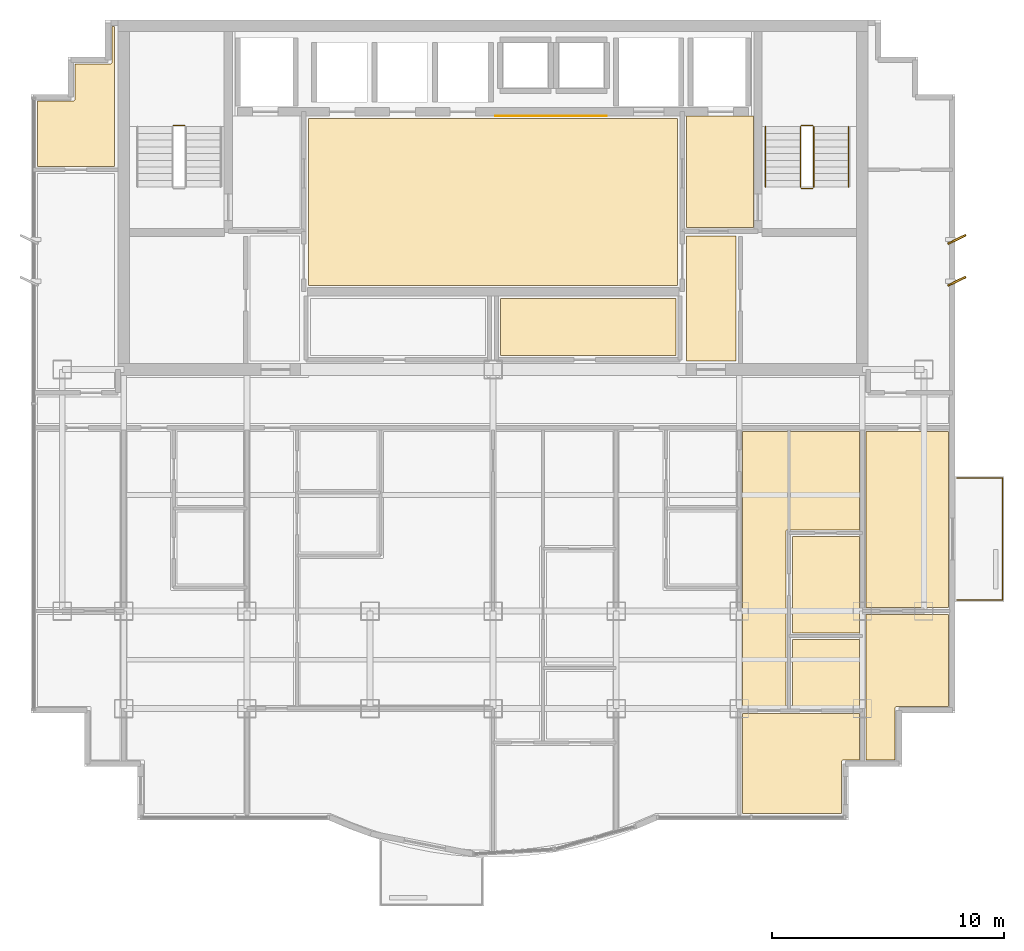
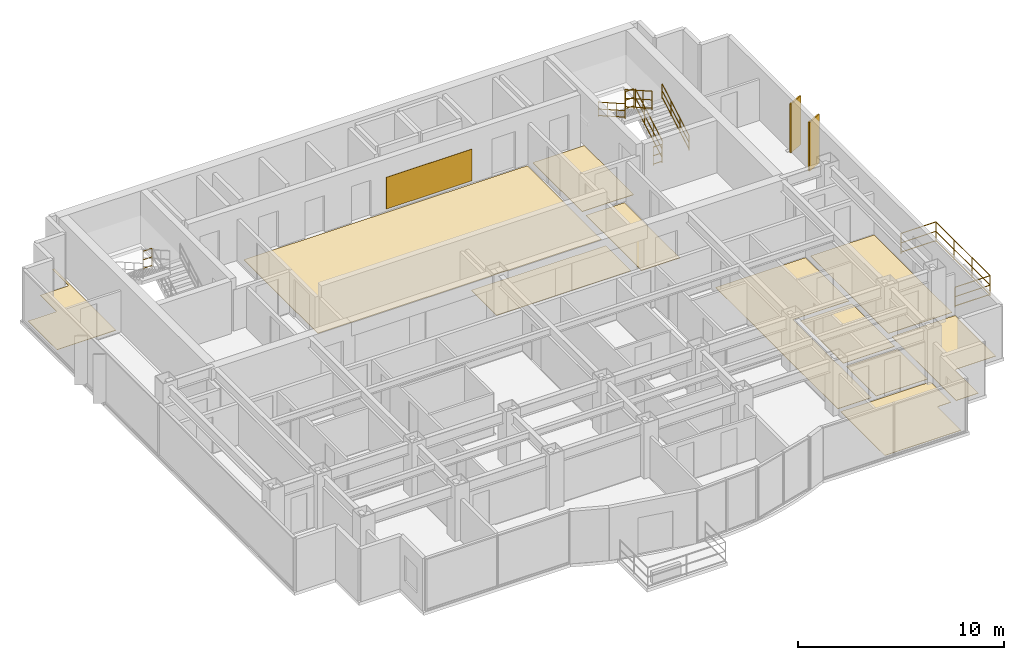
# One storey, part 11 of 11: 12 coverings, 8 railings, 2 shading devices.
"""IFC4 building model written with IfcOpenShell, lengths in metres."""

from ifc_helpers import new_model, si_unit, direction, frame, origin, origin_2d, place, context, subcontext, project, spatial, polyline, rectangle, circle, outline, extrude, source, transform, mapped, material, layer, layer_set, type_object, element, save


model = new_model("IFC4")

# Units and contexts
model_context = context("Model", 3, precision=1e-05, world=origin(), true_north=direction((0.0, 1.0)))
body_context = subcontext(model_context, "Body", "Model", "MODEL_VIEW")
ifc_project = project(units=[si_unit("LENGTHUNIT", "METRE"), si_unit("AREAUNIT", "SQUARE_METRE"), si_unit("VOLUMEUNIT", "CUBIC_METRE"), si_unit("PLANEANGLEUNIT", "RADIAN"), si_unit("MASSUNIT", "GRAM", prefix="KILO")], contexts=[model_context])

# Site, building, storey
site_placement = place(None, origin())
site = spatial("IfcSite", under=ifc_project, at=site_placement, CompositionType="ELEMENT")
building_placement = place(site_placement, origin())
building = spatial("IfcBuilding", under=site, at=building_placement, Name="Qianlan Lanfeng Residences", CompositionType="ELEMENT")
storey_placement = place(building_placement, frame((0.0, 0.0, 206.60009765625)))
storey = spatial("IfcBuildingStorey", under=building, at=storey_placement, Name="L56", CompositionType="ELEMENT", Elevation=206.60009765625)

# Coverings
ifc_material_1 = material(Name="Anodised Bronze Feature Wall Cladding")
ifc_layer_1 = layer(ifc_material_1, 0.02490234375)
ifc_layer_set_1 = layer_set([ifc_layer_1], Name="Anodised Bronze Feature Wall Cladding")
covering_type_1 = type_object("IfcCoveringType", Name="CLD-BRZ-25", PredefinedType="CLADDING", material=ifc_layer_set_1)
covering_1_placement = place(storey_placement, frame((0.0, 0.0, 0.14990234375)))
element("IfcCovering", 1, at=covering_1_placement, inside=storey, type_object=covering_type_1, Name="L56 Lift Lobby Bronze Feature Cladding", PredefinedType="CLADDING", context=body_context, shape_type="SweptSolid", body=[
    extrude(outline(polyline([(26.60009765625, 36.10009765625), (31.39990234375, 36.10009765625), (31.39990234375, 36.125), (26.60009765625, 36.125), (26.60009765625, 36.10009765625)])), origin(), (0.0, 0.0, 1.0), 1.8798828125),
])
ifc_material_2 = material(Name="Honed Taitung Granite Stone Flooring", Category="masonry")
ifc_layer_2 = layer(ifc_material_2, 0.030029296875)
ifc_layer_set_2 = layer_set([ifc_layer_2], Name="Honed Taitung Granite Stone Flooring")
covering_type_2 = type_object("IfcCoveringType", Name="FLR-STN-30", PredefinedType="FLOORING", material=ifc_layer_set_2)
covering_2_placement = place(storey_placement, origin())
element("IfcCovering", 2, at=covering_2_placement, inside=storey, type_object=covering_type_2, Name="L56 Firefighting Lift Lobby Floor Finish", PredefinedType="FLOORING", context=body_context, shape_type="SweptSolid", body=[
    extrude(outline(polyline([(34.820068359375, 31.320068359375), (37.7099609375, 31.320068359375), (37.7099609375, 36.110107421875), (34.820068359375, 36.110107421875), (34.820068359375, 31.320068359375)])), origin(), (0.0, 0.0, 1.0), 0.02978515625),
])
covering_3_placement = place(storey_placement, origin())
element("IfcCovering", 3, at=covering_3_placement, inside=storey, type_object=covering_type_2, Name="L56 Lift Lobby Floor Finish", PredefinedType="FLOORING", context=body_context, shape_type="SweptSolid", body=[
    extrude(outline(polyline([(18.550048828125, 28.820068359375), (34.449951171875, 28.820068359375), (34.449951171875, 36.010009765625), (18.550048828125, 36.010009765625), (18.550048828125, 28.820068359375)])), origin(), (0.0, 0.0, 1.0), 0.02978515625),
])
covering_4_placement = place(storey_placement, origin())
element("IfcCovering", 4, at=covering_4_placement, inside=storey, type_object=covering_type_2, Name="L56 Lift Lobby Floor Finish", PredefinedType="FLOORING", context=body_context, shape_type="SweptSolid", body=[
    extrude(outline(polyline([(34.830078125, 25.56005859375), (36.969970703125, 25.56005859375), (36.969970703125, 30.949951171875), (34.830078125, 30.949951171875), (34.830078125, 25.56005859375)])), origin(), (0.0, 0.0, 1.0), 0.02978515625),
])
ifc_material_3 = material(Name="Slip-Resistant Porcelain Tile Flooring")
ifc_layer_3 = layer(ifc_material_3, 0.02001953125)
ifc_layer_set_3 = layer_set([ifc_layer_3], Name="Slip-Resistant Porcelain Tile Flooring")
covering_type_3 = type_object("IfcCoveringType", Name="FLR-TIL-20", PredefinedType="FLOORING", material=ifc_layer_set_3)
covering_5_placement = place(storey_placement, origin())
element("IfcCovering", 5, at=covering_5_placement, inside=storey, type_object=covering_type_3, Name="L56 En-Suite Bathroom Floor Finish", PredefinedType="FLOORING", context=body_context, shape_type="SweptSolid", body=[
    extrude(outline(polyline([(39.389892578125, 10.659912109375), (42.27001953125, 10.659912109375), (42.27001953125, 13.580078125), (39.389892578125, 13.580078125), (39.389892578125, 10.659912109375)])), origin(), (0.0, 0.0, 1.0), 0.02001953125),
])
ifc_material_4 = material(Name="Engineered Smoked Oak Timber Flooring", Category="wood")
ifc_layer_4 = layer(ifc_material_4, 0.02197265625)
ifc_layer_set_4 = layer_set([ifc_layer_4], Name="Engineered Smoked Oak Timber Flooring")
covering_type_4 = type_object("IfcCoveringType", Name="FLR-TIM-22", PredefinedType="FLOORING", material=ifc_layer_set_4)
covering_6_placement = place(storey_placement, origin())
element("IfcCovering", 6, at=covering_6_placement, inside=storey, type_object=covering_type_4, Name="L56 Panoramic Sky Foyer Salon Floor Finish", PredefinedType="FLOORING", context=body_context, shape_type="SweptSolid", body=[
    extrude(outline(polyline([(26.830078125, 25.800048828125), (34.3701171875, 25.800048828125), (34.3701171875, 28.2548828125), (26.830078125, 28.2548828125), (26.830078125, 25.800048828125)])), origin(), (0.0, 0.0, 1.0), 0.02197265625),
])
covering_7_placement = place(storey_placement, origin())
element("IfcCovering", 7, at=covering_7_placement, inside=storey, type_object=covering_type_4, Name="L56 Private Study Floor Finish", PredefinedType="FLOORING", context=body_context, shape_type="SweptSolid", body=[
    extrude(outline(polyline([(39.389892578125, 13.860107421875), (42.27001953125, 13.860107421875), (42.27001953125, 18.02001953125), (39.389892578125, 18.02001953125), (39.389892578125, 13.860107421875)])), origin(), (0.0, 0.0, 1.0), 0.02197265625),
])
covering_8_placement = place(storey_placement, origin())
element("IfcCovering", 8, at=covering_8_placement, inside=storey, type_object=covering_type_4, Name="L56 Villa Family Sitting Room Floor Finish", PredefinedType="FLOORING", context=body_context, shape_type="SweptSolid", body=[
    extrude(outline(polyline([(37.22998046875, 10.659912109375), (39.110107421875, 10.659912109375), (39.110107421875, 18.22998046875), (39.110107421875, 18.237060546875), (39.111083984375, 18.243896484375), (39.113037109375, 18.25), (39.114990234375, 18.257080078125), (39.117919921875, 18.262939453125), (39.1220703125, 18.26904296875), (39.1259765625, 18.27392578125), (39.131103515625, 18.279052734375), (39.135986328125, 18.283935546875), (39.14111328125, 18.2880859375), (39.14697265625, 18.2919921875), (39.153076171875, 18.294921875), (39.159912109375, 18.297119140625), (39.166015625, 18.299072265625), (39.173095703125, 18.300048828125), (39.179931640625, 18.300048828125), (42.27001953125, 18.300048828125), (42.27001953125, 22.530029296875), (37.22998046875, 22.530029296875), (37.22998046875, 10.659912109375)])), origin(), (0.0, 0.0, 1.0), 0.02197265625),
])
covering_9_placement = place(storey_placement, origin())
element("IfcCovering", 9, at=covering_9_placement, inside=storey, type_object=covering_type_4, Name="L56 Master Bedroom Floor Finish", PredefinedType="FLOORING", context=body_context, shape_type="SweptSolid", body=[
    extrude(outline(polyline([(37.22998046875, 10.3798828125), (37.22998046875, 6.090087890625), (41.510009765625, 6.090087890625), (41.510009765625, 8.320068359375), (41.510009765625, 8.326904296875), (41.510986328125, 8.333984375), (41.512939453125, 8.340087890625), (41.514892578125, 8.346923828125), (41.51806640625, 8.35302734375), (41.52197265625, 8.35888671875), (41.52587890625, 8.364013671875), (41.531005859375, 8.368896484375), (41.535888671875, 8.3740234375), (41.541015625, 8.3779296875), (41.547119140625, 8.382080078125), (41.552978515625, 8.385009765625), (41.56005859375, 8.386962890625), (41.56591796875, 8.388916015625), (41.572998046875, 8.389892578125), (41.580078125, 8.389892578125), (42.27001953125, 8.389892578125), (42.27001953125, 10.3798828125), (37.22998046875, 10.3798828125)])), origin(), (0.0, 0.0, 1.0), 0.02197265625),
])
covering_10_placement = place(storey_placement, origin())
element("IfcCovering", 10, at=covering_10_placement, inside=storey, type_object=covering_type_4, Name="L56 Sunroom Floor Finish", PredefinedType="FLOORING", context=body_context, shape_type="SweptSolid", body=[
    extrude(outline(polyline([(46.110107421875, 14.64990234375), (42.56005859375, 14.64990234375), (42.56005859375, 8.389892578125), (43.81005859375, 8.389892578125), (43.81005859375, 10.6201171875), (43.81005859375, 10.626953125), (43.81103515625, 10.634033203125), (43.81298828125, 10.639892578125), (43.81494140625, 10.64697265625), (43.818115234375, 10.653076171875), (43.822021484375, 10.658935546875), (43.825927734375, 10.6640625), (43.8310546875, 10.6689453125), (43.8359375, 10.674072265625), (43.841064453125, 10.677978515625), (43.846923828125, 10.681884765625), (43.85302734375, 10.68505859375), (43.860107421875, 10.68701171875), (43.865966796875, 10.68896484375), (43.873046875, 10.68994140625), (43.8798828125, 10.68994140625), (46.110107421875, 10.68994140625), (46.110107421875, 14.64990234375)])), origin(), (0.0, 0.0, 1.0), 0.02197265625),
])
covering_11_placement = place(storey_placement, origin())
element("IfcCovering", 11, at=covering_11_placement, inside=storey, type_object=covering_type_4, Name="L56 Private Study Floor Finish", PredefinedType="FLOORING", context=body_context, shape_type="SweptSolid", body=[
    extrude(outline(polyline([(46.110107421875, 22.530029296875), (42.56005859375, 22.530029296875), (42.56005859375, 14.949951171875), (46.110107421875, 14.949951171875), (46.110107421875, 22.530029296875)])), origin(), (0.0, 0.0, 1.0), 0.02197265625),
])
covering_12_placement = place(storey_placement, origin())
element("IfcCovering", 12, at=covering_12_placement, inside=storey, type_object=covering_type_4, Name="L56 Resident Lounge Floor Finish", PredefinedType="FLOORING", context=body_context, shape_type="SweptSolid", body=[
    extrude(outline(polyline([(6.889892578125, 33.949951171875), (10.199951171875, 33.949951171875), (10.199951171875, 39.9599609375), (10.090087890625, 39.9599609375), (10.090087890625, 38.429931640625), (10.090087890625, 38.423095703125), (10.089111328125, 38.416015625), (10.0869140625, 38.409912109375), (10.0849609375, 38.403076171875), (10.08203125, 38.39697265625), (10.077880859375, 38.39111328125), (10.073974609375, 38.385986328125), (10.069091796875, 38.381103515625), (10.06396484375, 38.3759765625), (10.05908203125, 38.3720703125), (10.052978515625, 38.367919921875), (10.047119140625, 38.364990234375), (10.0400390625, 38.363037109375), (10.033935546875, 38.361083984375), (10.027099609375, 38.360107421875), (10.02001953125, 38.360107421875), (8.489990234375, 38.360107421875), (8.489990234375, 36.830078125), (8.489990234375, 36.822998046875), (8.489013671875, 36.81591796875), (8.487060546875, 36.81005859375), (8.485107421875, 36.802978515625), (8.48193359375, 36.797119140625), (8.47802734375, 36.791015625), (8.47412109375, 36.785888671875), (8.468994140625, 36.781005859375), (8.464111328125, 36.77587890625), (8.458984375, 36.77197265625), (8.452880859375, 36.76806640625), (8.447021484375, 36.764892578125), (8.43994140625, 36.762939453125), (8.43408203125, 36.760986328125), (8.427001953125, 36.760009765625), (8.419921875, 36.760009765625), (6.889892578125, 36.760009765625), (6.889892578125, 33.949951171875)])), origin(), (0.0, 0.0, 1.0), 0.02197265625),
])

# Railings
ifc_material_5 = material(Name="Anodised Bronze Aluminium and Laminated Glass Guard Balustrade", Category="aluminium")
railing_type_1 = type_object("IfcRailingType", Name="GR-EXT-1220", PredefinedType="BALUSTRADE", material=ifc_material_5)
railing_1_placement = place(storey_placement, frame((46.469970703125, 20.530029296875, 0.0)))
element("IfcRailing", 13, at=railing_1_placement, inside=storey, type_object=railing_type_1, Name="L56 Terrace Safety Guard GR-L56-EB-S", PredefinedType="BALUSTRADE", context=body_context, shape_type="SweptSolid", body=[
    extrude(circle(Radius=0.02490234375, at=origin_2d()), frame((0.0, 0.0, 0.0849609375), z_axis=(1.0, 0.0, 0.0), x_axis=(0.0, 1.0, 0.0)), (0.0, 0.0, 1.0), 1.9599609375),
    extrude(circle(Radius=0.02490234375, at=origin_2d()), frame((0.0, 0.0, 0.63427734375), z_axis=(1.0, 0.0, 0.0), x_axis=(0.0, 1.0, 0.0)), (0.0, 0.0, 1.0), 1.9599609375),
    extrude(circle(Radius=0.02490234375, at=origin_2d()), frame((0.0, 0.0, 1.19482421875), z_axis=(1.0, 0.0, 0.0), x_axis=(0.0, 1.0, 0.0)), (0.0, 0.0, 1.0), 1.9599609375),
    extrude(circle(Radius=0.02490234375, at=origin_2d()), frame((1.9599609375, 0.0, 0.0849609375), z_axis=(0.0, -1.0, 0.0), x_axis=(1.0, 0.0, 0.0)), (0.0, 0.0, 1.0), 5.260009765625),
    extrude(circle(Radius=0.02490234375, at=origin_2d()), frame((1.9599609375, 0.0, 0.63427734375), z_axis=(0.0, -1.0, 0.0), x_axis=(1.0, 0.0, 0.0)), (0.0, 0.0, 1.0), 5.260009765625),
    extrude(circle(Radius=0.02490234375, at=origin_2d()), frame((1.9599609375, 0.0, 1.19482421875), z_axis=(0.0, -1.0, 0.0), x_axis=(1.0, 0.0, 0.0)), (0.0, 0.0, 1.0), 5.260009765625),
    extrude(circle(Radius=0.02490234375, at=origin_2d()), frame((1.9599609375, -5.260009765625, 0.0849609375), z_axis=(-1.0, 0.0, 0.0), x_axis=(0.0, -1.0, 0.0)), (0.0, 0.0, 1.0), 1.9599609375),
    extrude(circle(Radius=0.02490234375, at=origin_2d()), frame((1.9599609375, -5.260009765625, 0.63427734375), z_axis=(-1.0, 0.0, 0.0), x_axis=(0.0, -1.0, 0.0)), (0.0, 0.0, 1.0), 1.9599609375),
    extrude(circle(Radius=0.02490234375, at=origin_2d()), frame((1.9599609375, -5.260009765625, 1.19482421875), z_axis=(-1.0, 0.0, 0.0), x_axis=(0.0, -1.0, 0.0)), (0.0, 0.0, 1.0), 1.9599609375),
    extrude(circle(Radius=0.02099609375, at=origin_2d()), origin(), (0.0, 0.0, 1.0), 1.169921875),
    extrude(circle(Radius=0.02099609375, at=origin_2d()), frame((1.9599609375, 0.0, 0.0)), (0.0, 0.0, 1.0), 1.169921875),
    extrude(circle(Radius=0.02099609375, at=origin_2d()), frame((1.9599609375, -1.75341796875, 0.0)), (0.0, 0.0, 1.0), 1.169921875),
    extrude(circle(Radius=0.02099609375, at=origin_2d()), frame((1.9599609375, -3.506591796875, 0.0)), (0.0, 0.0, 1.0), 1.169921875),
    extrude(circle(Radius=0.02099609375, at=origin_2d()), frame((1.9599609375, -5.260009765625, 0.0)), (0.0, 0.0, 1.0), 1.169921875),
    extrude(circle(Radius=0.02099609375, at=origin_2d()), frame((0.0, -5.260009765625, 0.0)), (0.0, 0.0, 1.0), 1.169921875),
])
ifc_material_6 = material(Name="Painted Galvanised Steel Guardrail", Category="steel")
railing_type_2 = type_object("IfcRailingType", Name="GR-ST-1120", PredefinedType="GUARDRAIL", material=ifc_material_6)
railing_2_placement = place(storey_placement, frame((13.219970703125, 35.7099609375, 1.64990234375)))
element("IfcRailing", 14, at=railing_2_placement, inside=storey, type_object=railing_type_2, Name="L56 ST-1 stair guard 2", PredefinedType="GUARDRAIL", context=body_context, shape_type="SweptSolid", body=[
    extrude(circle(Radius=0.02392578125, at=origin_2d()), frame((0.0, 0.0, 0.083984375), z_axis=(-1.0, 0.0, 0.0), x_axis=(0.0, -1.0, 0.0)), (0.0, 0.0, 1.0), 0.47998046875),
    extrude(circle(Radius=0.02392578125, at=origin_2d()), frame((0.0, 0.0, 0.58251953125), z_axis=(-1.0, 0.0, 0.0), x_axis=(0.0, -1.0, 0.0)), (0.0, 0.0, 1.0), 0.47998046875),
    extrude(circle(Radius=0.02392578125, at=origin_2d()), frame((0.0, 0.0, 1.09619140625), z_axis=(-1.0, 0.0, 0.0), x_axis=(0.0, -1.0, 0.0)), (0.0, 0.0, 1.0), 0.47998046875),
    extrude(circle(Radius=0.02099609375, at=origin_2d()), origin(), (0.0, 0.0, 1.0), 1.072021484375),
    extrude(circle(Radius=0.02099609375, at=origin_2d()), frame((-0.47998046875, 0.0, 0.0)), (0.0, 0.0, 1.0), 1.072021484375),
])
railing_3_placement = place(storey_placement, frame((40.31005859375, 33.050048828125, 0.164794921875)))
element("IfcRailing", 15, at=railing_3_placement, inside=storey, type_object=railing_type_2, Name="L56 ST-2 stair guard 1", PredefinedType="GUARDRAIL", context=body_context, shape_type="SweptSolid", body=[
    extrude(circle(Radius=0.02392578125, at=origin_2d()), frame((0.0, 0.0, 0.083984375), z_axis=(0.0, 0.869137319866, 0.494570843475), x_axis=(-1.0, 0.0, 0.0)), (0.0, 0.0, 1.0), 3.0029296875),
    extrude(circle(Radius=0.02392578125, at=origin_2d()), frame((0.0, 0.0, 0.58251953125), z_axis=(0.0, 0.869137319866, 0.494570843475), x_axis=(-1.0, 0.0, 0.0)), (0.0, 0.0, 1.0), 3.0029296875),
    extrude(circle(Radius=0.02392578125, at=origin_2d()), frame((0.0, 0.0, 1.09619140625), z_axis=(0.0, 0.869137319866, 0.494570843475), x_axis=(-1.0, 0.0, 0.0)), (0.0, 0.0, 1.0), 3.0029296875),
    extrude(circle(Radius=0.02099609375, at=origin_2d()), origin(), (0.0, 0.0, 1.0), 1.072021484375),
    extrude(circle(Radius=0.02099609375, at=origin_2d()), frame((0.0, 0.869873046875, 0.4951171875)), (0.0, 0.0, 1.0), 1.072021484375),
    extrude(circle(Radius=0.02099609375, at=origin_2d()), frame((0.0, 1.739990234375, 0.989990234375)), (0.0, 0.0, 1.0), 1.072021484375),
    extrude(circle(Radius=0.02099609375, at=origin_2d()), frame((0.0, 2.60986328125, 1.485107421875)), (0.0, 0.0, 1.0), 1.072021484375),
])
railing_4_placement = place(storey_placement, frame((40.260009765625, 35.7099609375, 1.64990234375)))
element("IfcRailing", 16, at=railing_4_placement, inside=storey, type_object=railing_type_2, Name="L56 ST-2 stair guard 2", PredefinedType="GUARDRAIL", context=body_context, shape_type="SweptSolid", body=[
    extrude(circle(Radius=0.02392578125, at=origin_2d()), frame((0.0, 0.0, 0.083984375), z_axis=(-1.0, 0.0, 0.0), x_axis=(0.0, -1.0, 0.0)), (0.0, 0.0, 1.0), 0.47998046875),
    extrude(circle(Radius=0.02392578125, at=origin_2d()), frame((0.0, 0.0, 0.58251953125), z_axis=(-1.0, 0.0, 0.0), x_axis=(0.0, -1.0, 0.0)), (0.0, 0.0, 1.0), 0.47998046875),
    extrude(circle(Radius=0.02392578125, at=origin_2d()), frame((0.0, 0.0, 1.09619140625), z_axis=(-1.0, 0.0, 0.0), x_axis=(0.0, -1.0, 0.0)), (0.0, 0.0, 1.0), 0.47998046875),
    extrude(circle(Radius=0.02099609375, at=origin_2d()), origin(), (0.0, 0.0, 1.0), 1.072021484375),
    extrude(circle(Radius=0.02099609375, at=origin_2d()), frame((-0.47998046875, 0.0, 0.0)), (0.0, 0.0, 1.0), 1.072021484375),
])
railing_5_placement = place(storey_placement, frame((39.72998046875, 35.659912109375, 1.81494140625)))
element("IfcRailing", 17, at=railing_5_placement, inside=storey, type_object=railing_type_2, Name="L56 ST-2 stair guard 3", PredefinedType="GUARDRAIL", context=body_context, shape_type="SweptSolid", body=[
    extrude(circle(Radius=0.02392578125, at=origin_2d()), frame((0.0, 0.0, 0.083984375), z_axis=(0.0, -0.869172267526, 0.494509422927), x_axis=(1.0, 0.0, 0.0)), (0.0, 0.0, 1.0), 3.002685546875),
    extrude(circle(Radius=0.02392578125, at=origin_2d()), frame((0.0, 0.0, 0.58251953125), z_axis=(0.0, -0.869172267526, 0.494509422927), x_axis=(1.0, 0.0, 0.0)), (0.0, 0.0, 1.0), 3.002685546875),
    extrude(circle(Radius=0.02392578125, at=origin_2d()), frame((0.0, 0.0, 1.09619140625), z_axis=(0.0, -0.869172267526, 0.494509422927), x_axis=(1.0, 0.0, 0.0)), (0.0, 0.0, 1.0), 3.002685546875),
    extrude(circle(Radius=0.02099609375, at=origin_2d()), origin(), (0.0, 0.0, 1.0), 1.072021484375),
    extrude(circle(Radius=0.02099609375, at=origin_2d()), frame((0.0, -0.869873046875, 0.494873046875)), (0.0, 0.0, 1.0), 1.072021484375),
    extrude(circle(Radius=0.02099609375, at=origin_2d()), frame((0.0, -1.739990234375, 0.989990234375)), (0.0, 0.0, 1.0), 1.072021484375),
    extrude(circle(Radius=0.02099609375, at=origin_2d()), frame((0.0, -2.60986328125, 1.48486328125)), (0.0, 0.0, 1.0), 1.072021484375),
])
railing_6_placement = place(storey_placement, frame((40.260009765625, 33.0, 0.0)))
element("IfcRailing", 18, at=railing_6_placement, inside=storey, type_object=railing_type_2, Name="L56 ST-2 stair guard 4", PredefinedType="GUARDRAIL", context=body_context, shape_type="SweptSolid", body=[
    extrude(circle(Radius=0.02392578125, at=origin_2d()), frame((0.0, 0.0, 0.083984375), z_axis=(-1.0, 0.0, 0.0), x_axis=(0.0, -1.0, 0.0)), (0.0, 0.0, 1.0), 0.47998046875),
    extrude(circle(Radius=0.02392578125, at=origin_2d()), frame((0.0, 0.0, 0.58251953125), z_axis=(-1.0, 0.0, 0.0), x_axis=(0.0, -1.0, 0.0)), (0.0, 0.0, 1.0), 0.47998046875),
    extrude(circle(Radius=0.02392578125, at=origin_2d()), frame((0.0, 0.0, 1.09619140625), z_axis=(-1.0, 0.0, 0.0), x_axis=(0.0, -1.0, 0.0)), (0.0, 0.0, 1.0), 0.47998046875),
    extrude(circle(Radius=0.02099609375, at=origin_2d()), origin(), (0.0, 0.0, 1.0), 1.072021484375),
    extrude(circle(Radius=0.02099609375, at=origin_2d()), frame((-0.47998046875, 0.0, 0.0)), (0.0, 0.0, 1.0), 1.072021484375),
])
ifc_material_7 = material(Name="Brushed Stainless Steel Handrail", Category="steel")
railing_type_3 = type_object("IfcRailingType", Name="HR-ST-920", PredefinedType="HANDRAIL", material=ifc_material_7)
railing_7_placement = place(storey_placement, frame((41.81005859375, 33.050048828125, 0.164794921875)))
element("IfcRailing", 19, at=railing_7_placement, inside=storey, type_object=railing_type_3, Name="L56 ST-2 stair handrail 1", PredefinedType="HANDRAIL", context=body_context, shape_type="SweptSolid", body=[
    extrude(circle(Radius=0.02392578125, at=origin_2d()), frame((0.0, 0.0, 0.083984375), z_axis=(0.0, 0.869137319866, 0.494570843475), x_axis=(-1.0, 0.0, 0.0)), (0.0, 0.0, 1.0), 3.0029296875),
    extrude(circle(Radius=0.02392578125, at=origin_2d()), frame((0.0, 0.0, 0.468017578125), z_axis=(0.0, 0.869137319866, 0.494570843475), x_axis=(-1.0, 0.0, 0.0)), (0.0, 0.0, 1.0), 3.0029296875),
    extrude(circle(Radius=0.02392578125, at=origin_2d()), frame((0.0, 0.0, 0.8759765625), z_axis=(0.0, 0.869137319866, 0.494570843475), x_axis=(-1.0, 0.0, 0.0)), (0.0, 0.0, 1.0), 3.0029296875),
    extrude(circle(Radius=0.02099609375, at=origin_2d()), origin(), (0.0, 0.0, 1.0), 0.851806640625),
    extrude(circle(Radius=0.02099609375, at=origin_2d()), frame((0.0, 0.869873046875, 0.4951171875)), (0.0, 0.0, 1.0), 0.851806640625),
    extrude(circle(Radius=0.02099609375, at=origin_2d()), frame((0.0, 1.739990234375, 0.989990234375)), (0.0, 0.0, 1.0), 0.851806640625),
    extrude(circle(Radius=0.02099609375, at=origin_2d()), frame((0.0, 2.60986328125, 1.485107421875)), (0.0, 0.0, 1.0), 0.851806640625),
])
railing_8_placement = place(storey_placement, frame((38.22998046875, 35.659912109375, 1.81494140625)))
element("IfcRailing", 20, at=railing_8_placement, inside=storey, type_object=railing_type_3, Name="L56 ST-2 stair handrail 2", PredefinedType="HANDRAIL", context=body_context, shape_type="SweptSolid", body=[
    extrude(circle(Radius=0.02392578125, at=origin_2d()), frame((0.0, 0.0, 0.083984375), z_axis=(0.0, -0.869172267526, 0.494509422927), x_axis=(1.0, 0.0, 0.0)), (0.0, 0.0, 1.0), 3.002685546875),
    extrude(circle(Radius=0.02392578125, at=origin_2d()), frame((0.0, 0.0, 0.468017578125), z_axis=(0.0, -0.869172267526, 0.494509422927), x_axis=(1.0, 0.0, 0.0)), (0.0, 0.0, 1.0), 3.002685546875),
    extrude(circle(Radius=0.02392578125, at=origin_2d()), frame((0.0, 0.0, 0.8759765625), z_axis=(0.0, -0.869172267526, 0.494509422927), x_axis=(1.0, 0.0, 0.0)), (0.0, 0.0, 1.0), 3.002685546875),
    extrude(circle(Radius=0.02099609375, at=origin_2d()), origin(), (0.0, 0.0, 1.0), 0.851806640625),
    extrude(circle(Radius=0.02099609375, at=origin_2d()), frame((0.0, -0.869873046875, 0.494873046875)), (0.0, 0.0, 1.0), 0.851806640625),
    extrude(circle(Radius=0.02099609375, at=origin_2d()), frame((0.0, -1.739990234375, 0.989990234375)), (0.0, 0.0, 1.0), 0.851806640625),
    extrude(circle(Radius=0.02099609375, at=origin_2d()), frame((0.0, -2.60986328125, 1.48486328125)), (0.0, 0.0, 1.0), 0.851806640625),
])

# Shading devices
ifc_material_8 = material(Name="Anodised Bronze Aluminium Solar Fin", Category="aluminium")
shading_device_type = type_object("IfcShadingDeviceType", Name="FIN-BRZ-850", PredefinedType="SHUTTER", material=ifc_material_8)
shared_shape = source(origin(), body_context, "Body", "SweptSolid", [
    extrude(rectangle(XDim=0.85009765625, YDim=0.080078125, at=origin_2d()), origin(), (0.0, 0.0, 1.0), 2.89990234375),
])
for number, where, z_axis, x_axis, name in (
    (21, (46.469970703125, 29.0, 0.0), (0.0, 0.0, 1.0), (0.898794046299, 0.438371146789, 0.0), "L56 Raked Bronze Solar Fin E1"),
    (22, (46.469970703125, 30.800048828125, 0.0), (0.0, 0.0, 1.0), (0.898794046299, 0.438371146789, 0.0), "L56 Raked Bronze Solar Fin E2"),
):
    element("IfcShadingDevice", number, at=place(storey_placement, frame(where, z_axis=z_axis, x_axis=x_axis)), inside=storey, type_object=shading_device_type, Name=name, PredefinedType="SHUTTER", context=body_context, shape_type="MappedRepresentation", body=[
        mapped(shared_shape, transform((0.0, 0.0, 0.0), scale=1.0)),
    ])

save(model, "model.ifc")
